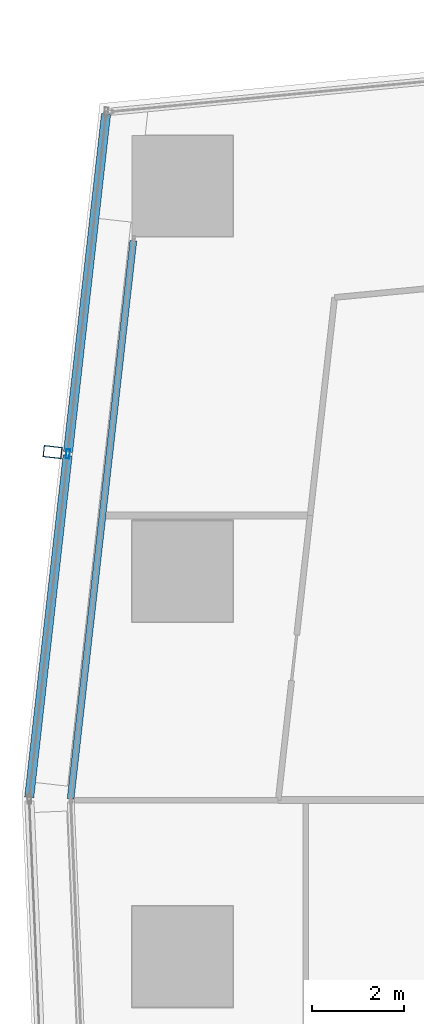
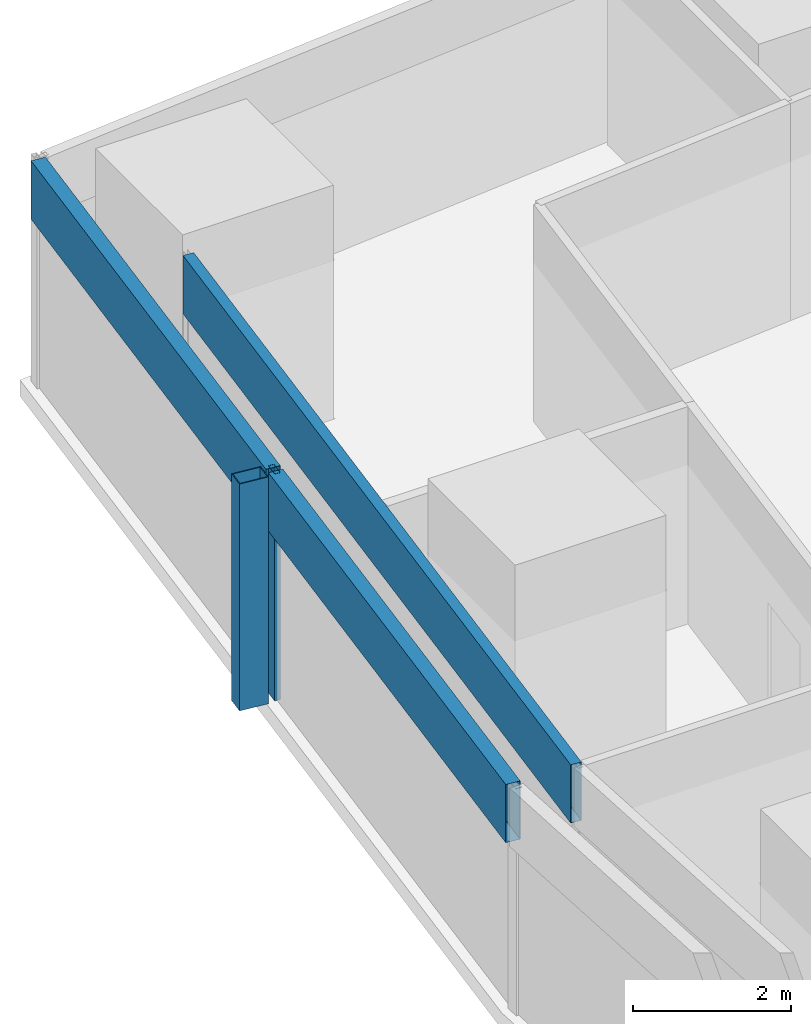
# One storey, part 15 of 45: 5 members, 2 elements without a shape of their own.
"""IFC4 building model written with IfcOpenShell, lengths in metres."""

from ifc_helpers import new_model, si_unit, direction, frame, origin, origin_2d, place, context, subcontext, project, spatial, hollow_rectangle, extrude, material, material_profile, profile_set, type_object, element, aggregate, save


model = new_model("IFC4")

# Units and contexts
model_context = context("Model", 3, precision=1e-05, world=origin(), true_north=direction((0.0, 1.0)))
body_context = subcontext(model_context, "Body", "Model", "MODEL_VIEW")
ifc_project = project(units=[si_unit("LENGTHUNIT", "METRE"), si_unit("AREAUNIT", "SQUARE_METRE"), si_unit("VOLUMEUNIT", "CUBIC_METRE"), si_unit("PLANEANGLEUNIT", "RADIAN"), si_unit("MASSUNIT", "GRAM", prefix="KILO")], contexts=[model_context])

# Site, building, storey
site_placement = place(None, origin())
site = spatial("IfcSite", under=ifc_project, at=site_placement, CompositionType="ELEMENT")
building_placement = place(site_placement, origin())
building = spatial("IfcBuilding", under=site, at=building_placement, Name="Rekha Terrace Tower", CompositionType="ELEMENT")
storey_placement = place(building_placement, frame((0.0, 0.0, 32.89990234375)))
storey = spatial("IfcBuildingStorey", under=building, at=storey_placement, Name="L07", CompositionType="ELEMENT", Elevation=32.89990234375)

# Curtain wall, member
ifc_material_1 = material(Name="Aluminium framing", Category="aluminium")
curtain_wall_type_1 = type_object("IfcCurtainWallType", Name="CW2 double skin outer glazing", PredefinedType="USERDEFINED", material=ifc_material_1)
curtain_wall_1_placement = place(storey_placement, origin())
curtain_wall_1 = element("IfcCurtainWall", 1, at=curtain_wall_1_placement, inside=storey, type_object=curtain_wall_type_1, Name="CW2 double skin outer glazing", ObjectType="DOUBLE SKIN OUTER GLAZING", PredefinedType="USERDEFINED")
ifc_material_2 = material(Name="Steel S355 with fluorocarbon finish", Category="steel")
ifc_material_profile_1 = material_profile(ifc_material_2, hollow_rectangle(XDim=0.25, YDim=0.39990234375, WallThickness=0.012451171875, at=origin_2d()), Name="RHS400x250x12.5")
ifc_profile_set_1 = profile_set([ifc_material_profile_1], Name="Steel S355 with fluorocarbon finish")
member_type_1 = type_object("IfcMemberType", Name="BL1 facade blade RHS 400 x 250", PredefinedType="USERDEFINED", material=ifc_profile_set_1)
member_1_placement = place(storey_placement, frame((5.569580078125, 53.001220703125, 0.0), z_axis=(0.0, 0.0, 1.0), x_axis=(-0.111729096216, -0.993738702607, 0.0)))
member_1 = element("IfcMember", 2, at=member_1_placement, type_object=member_type_1, Name="Facade blade", ObjectType="FACADE BLADE", PredefinedType="USERDEFINED", context=body_context, shape_type="SweptSolid", body=[
    extrude(hollow_rectangle(XDim=0.25, YDim=0.39990234375, WallThickness=0.012451171875, at=origin_2d()), origin(), (0.0, 0.0, 1.0), 3.5),
])

curtain_wall_type_2 = type_object("IfcCurtainWallType", Name="CW1 double skin inner glazing", PredefinedType="USERDEFINED", material=ifc_material_1)
curtain_wall_2_placement = place(storey_placement, origin())
curtain_wall_2 = element("IfcCurtainWall", 3, at=curtain_wall_2_placement, inside=storey, type_object=curtain_wall_type_2, Name="CW1 double skin inner glazing", ObjectType="DOUBLE SKIN INNER GLAZING", PredefinedType="USERDEFINED")
ifc_material_3 = material(Name="Insulated aluminium spandrel box", Category="aluminium")
ifc_material_profile_2 = material_profile(ifc_material_3, hollow_rectangle(XDim=0.14990234375, YDim=0.89990234375, WallThickness=0.0029296875, at=origin_2d()), Name="AL SPANDREL BOX 150x900")
ifc_profile_set_2 = profile_set([ifc_material_profile_2], Name="Insulated aluminium spandrel box")
member_type_2 = type_object("IfcMemberType", Name="CW1 spandrel transom 150 x 900", PredefinedType="USERDEFINED", material=ifc_profile_set_2)
member_2_placement = place(storey_placement, frame((7.33056640625, 57.611083984375, 3.050048828125), z_axis=(-0.111720442276, -0.993739675558, 0.0), x_axis=(0.993739675558, -0.111720442276, 0.0)))
member_2 = element("IfcMember", 4, at=member_2_placement, type_object=member_type_2, Name="CW1 spandrel transom 1", ObjectType="TRANSOM", PredefinedType="USERDEFINED", context=body_context, shape_type="SweptSolid", body=[
    extrude(hollow_rectangle(XDim=0.14990234375, YDim=0.89990234375, WallThickness=0.0029296875, at=origin_2d()), origin(), (0.0, 0.0, 1.0), 12.244140625),
])
aggregate(curtain_wall_2, [member_2])

# Member
ifc_material_4 = material(Name="Aluminium mullion section", Category="aluminium")
ifc_material_profile_3 = material_profile(ifc_material_4, hollow_rectangle(XDim=0.080078125, YDim=0.199951171875, WallThickness=0.00390625, at=origin_2d()), Name="AL RHS 80x200")
ifc_profile_set_3 = profile_set([ifc_material_profile_3], Name="Aluminium mullion section")
member_type_3 = type_object("IfcMemberType", Name="CW2 mullion RHS 80 x 200", PredefinedType="MULLION", material=ifc_profile_set_3)
member_3_placement = place(storey_placement, frame((5.90234375, 52.9638671875, 0.0), z_axis=(0.0, 0.0, 1.0), x_axis=(0.99373861552, -0.111729870782, 0.0)))
member_3 = element("IfcMember", 5, at=member_3_placement, type_object=member_type_3, Name="CW2 mullion 2", PredefinedType="MULLION", context=body_context, shape_type="SweptSolid", body=[
    extrude(hollow_rectangle(XDim=0.080078125, YDim=0.199951171875, WallThickness=0.00390625, at=origin_2d()), origin(), (0.0, 0.0, 1.0), 3.5),
])

ifc_material_profile_4 = material_profile(ifc_material_3, hollow_rectangle(XDim=0.199951171875, YDim=0.89990234375, WallThickness=0.0029296875, at=origin_2d()), Name="AL SPANDREL BOX 200x900")
ifc_profile_set_4 = profile_set([ifc_material_profile_4], Name="Insulated aluminium spandrel box")
member_type_4 = type_object("IfcMemberType", Name="CW2 spandrel transom 200 x 900", PredefinedType="USERDEFINED", material=ifc_profile_set_4)
member_4_placement = place(storey_placement, frame((6.735595703125, 60.37353515625, 3.050048828125), z_axis=(-0.111728537773, -0.993738765394, 0.0), x_axis=(0.993738765394, -0.111728537773, 0.0)))
member_4 = element("IfcMember", 6, at=member_4_placement, type_object=member_type_4, Name="CW2 spandrel transom 1", ObjectType="TRANSOM", PredefinedType="USERDEFINED", context=body_context, shape_type="SweptSolid", body=[
    extrude(hollow_rectangle(XDim=0.199951171875, YDim=0.89990234375, WallThickness=0.0029296875, at=origin_2d()), origin(), (0.0, 0.0, 1.0), 7.416259765625),
])

member_5_placement = place(storey_placement, frame((5.89794921875, 52.924072265625, 3.050048828125), z_axis=(-0.111739697795, -0.993737510582, 0.0), x_axis=(0.993737510582, -0.111739697795, 0.0)))
member_5 = element("IfcMember", 7, at=member_5_placement, type_object=member_type_4, Name="CW2 spandrel transom 2", ObjectType="TRANSOM", PredefinedType="USERDEFINED", context=body_context, shape_type="SweptSolid", body=[
    extrude(hollow_rectangle(XDim=0.199951171875, YDim=0.89990234375, WallThickness=0.0029296875, at=origin_2d()), origin(), (0.0, 0.0, 1.0), 7.496337890625),
])

aggregate(curtain_wall_1, [member_3, member_4, member_5, member_1])

save(model, "model.ifc")
